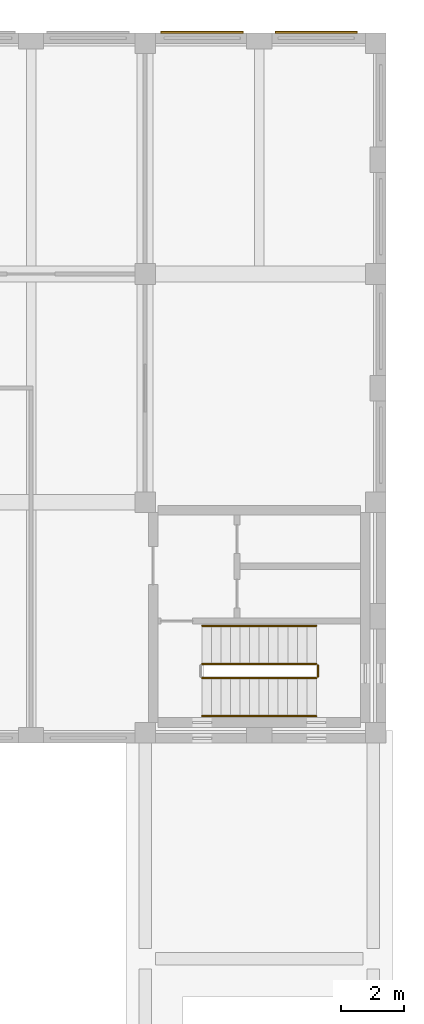
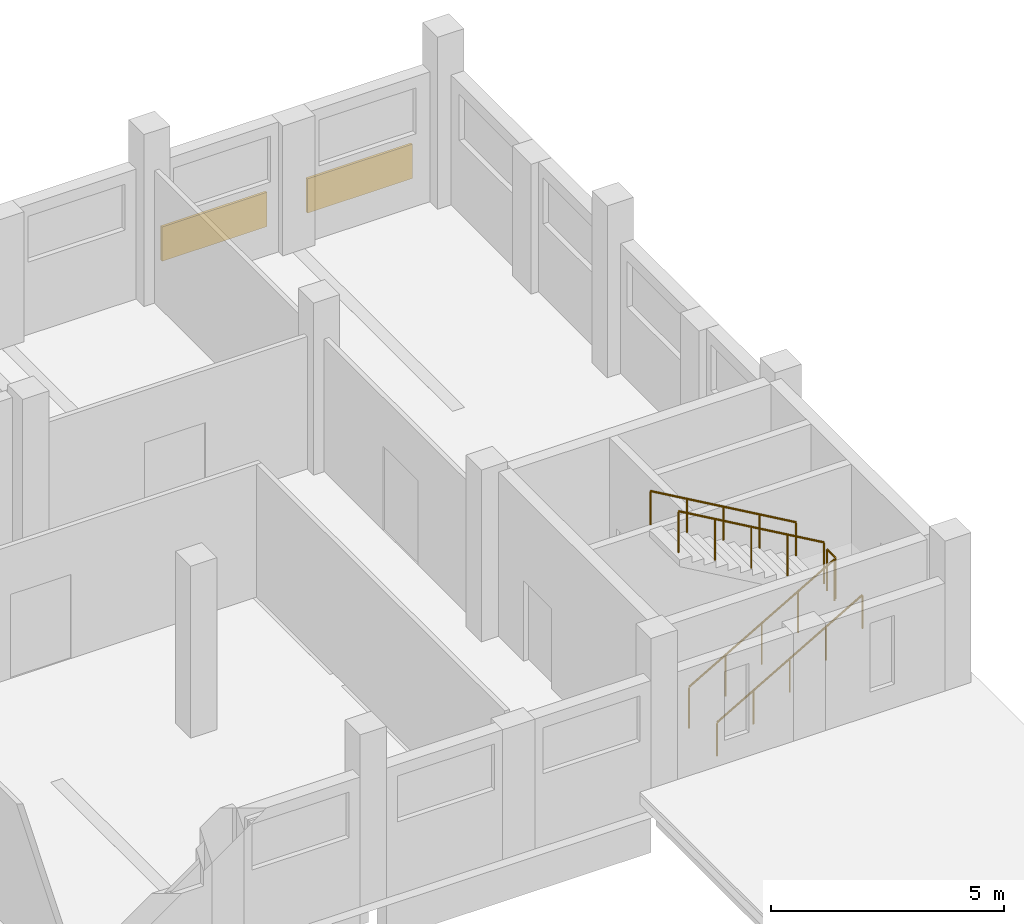
# One storey, part 56 of 59: 5 railings, 2 shading devices.
"""IFC4 building model written with IfcOpenShell, lengths in metres."""

from ifc_helpers import new_model, si_unit, direction, frame, origin, origin_2d, place, context, subcontext, project, spatial, rectangle, circle, extrude, material, layer, layer_set, type_object, element, save


model = new_model("IFC4")

# Units and contexts
model_context = context("Model", 3, precision=1e-05, world=origin(), true_north=direction((0.0, 1.0)))
body_context = subcontext(model_context, "Body", "Model", "MODEL_VIEW")
ifc_project = project(units=[si_unit("LENGTHUNIT", "METRE"), si_unit("AREAUNIT", "SQUARE_METRE"), si_unit("VOLUMEUNIT", "CUBIC_METRE"), si_unit("PLANEANGLEUNIT", "RADIAN"), si_unit("MASSUNIT", "GRAM", prefix="KILO")], contexts=[model_context])

# Site, building, storey
site_placement = place(None, origin())
site = spatial("IfcSite", under=ifc_project, at=site_placement, CompositionType="ELEMENT")
building_placement = place(site_placement, origin())
building = spatial("IfcBuilding", under=site, at=building_placement, Name="Ussher Court Research Institute", CompositionType="ELEMENT")
storey_placement = place(building_placement, frame((0.0, 0.0, 5.39990234375)))
storey = spatial("IfcBuildingStorey", under=building, at=storey_placement, Name="L01", CompositionType="ELEMENT", Elevation=5.39990234375)

# Shading devices
ifc_material_1 = material(Name="Aluminium louvre", Category="aluminium")
ifc_layer = layer(ifc_material_1, 0.06005859375)
ifc_layer_set = layer_set([ifc_layer], Name="Aluminium louvre")
shading_device_type = type_object("IfcShadingDeviceType", Name="Louvre panel 2600x900", PredefinedType="USERDEFINED", material=ifc_layer_set)
for number, where, z_axis, x_axis, name in (
    (1, (98.39990234375, 90.830078125, 0.500244140625), (0.0, 0.0, 1.0), (1.0, 0.0, 0.0), "Louvre panel LV1 L01"),
    (2, (102.0, 90.830078125, 0.500244140625), (0.0, 0.0, 1.0), (1.0, 0.0, 0.0), "Louvre panel LV1 L01"),
):
    element("IfcShadingDevice", number, at=place(storey_placement, frame(where, z_axis=z_axis, x_axis=x_axis)), inside=storey, type_object=shading_device_type, Name=name, ObjectType="LOUVRE", PredefinedType="USERDEFINED", context=body_context, shape_type="SweptSolid", body=[
        extrude(rectangle(XDim=2.60009765625, YDim=0.06005859375, at=origin_2d()), origin(), (0.0, 0.0, 1.0), 0.89990234375),
    ])

# Railings
ifc_material_2 = material(Name="Painted steel balustrade", Category="steel")
railing_type_1 = type_object("IfcRailingType", Name="Stair guard 1100 steel balustrade", PredefinedType="GUARDRAIL", material=ifc_material_2)
railing_1_placement = place(storey_placement, frame((98.39990234375, 70.449951171875, 0.173095703125)))
element("IfcRailing", 3, at=railing_1_placement, inside=storey, type_object=railing_type_1, Name="L01 C2 stair guard 1", PredefinedType="GUARDRAIL", context=body_context, shape_type="SweptSolid", body=[
    extrude(circle(Radius=0.02392578125, at=origin_2d()), frame((0.0, 0.0, 1.076171875), z_axis=(0.866193409371, 0.0, 0.499708892819), x_axis=(0.0, 1.0, 0.0)), (0.0, 0.0, 1.0), 4.15625),
    extrude(circle(Radius=0.02099609375, at=origin_2d()), origin(), (0.0, 0.0, 1.0), 1.052001953125),
    extrude(circle(Radius=0.02099609375, at=origin_2d()), frame((0.89990234375, 0.0, 0.519287109375)), (0.0, 0.0, 1.0), 1.052001953125),
    extrude(circle(Radius=0.02099609375, at=origin_2d()), frame((1.800048828125, 0.0, 1.03857421875)), (0.0, 0.0, 1.0), 1.052001953125),
    extrude(circle(Radius=0.02099609375, at=origin_2d()), frame((2.7001953125, 0.0, 1.5576171875)), (0.0, 0.0, 1.0), 1.052001953125),
    extrude(circle(Radius=0.02099609375, at=origin_2d()), frame((3.60009765625, 0.0, 2.076904296875)), (0.0, 0.0, 1.0), 1.052001953125),
])
railing_2_placement = place(storey_placement, frame((102.050048828125, 70.5, 2.25)))
element("IfcRailing", 4, at=railing_2_placement, inside=storey, type_object=railing_type_1, Name="L01 C2 stair guard 2", PredefinedType="GUARDRAIL", context=body_context, shape_type="SweptSolid", body=[
    extrude(circle(Radius=0.02392578125, at=origin_2d()), frame((0.0, 0.0, 1.076171875), z_axis=(0.0, 1.0, 0.0), x_axis=(-1.0, 0.0, 0.0)), (0.0, 0.0, 1.0), 0.35009765625),
    extrude(circle(Radius=0.02099609375, at=origin_2d()), origin(), (0.0, 0.0, 1.0), 1.052001953125),
    extrude(circle(Radius=0.02099609375, at=origin_2d()), frame((0.0, 0.35009765625, 0.0)), (0.0, 0.0, 1.0), 1.052001953125),
])
railing_3_placement = place(storey_placement, frame((102.0, 70.89990234375, 2.423095703125)))
element("IfcRailing", 5, at=railing_3_placement, inside=storey, type_object=railing_type_1, Name="L01 C2 stair guard 3", PredefinedType="GUARDRAIL", context=body_context, shape_type="SweptSolid", body=[
    extrude(circle(Radius=0.02392578125, at=origin_2d()), frame((0.0, 0.0, 1.076171875), z_axis=(-0.866193409371, 0.0, 0.499708892819), x_axis=(0.0, -1.0, 0.0)), (0.0, 0.0, 1.0), 4.15625),
    extrude(circle(Radius=0.02099609375, at=origin_2d()), origin(), (0.0, 0.0, 1.0), 1.052001953125),
    extrude(circle(Radius=0.02099609375, at=origin_2d()), frame((-0.89990234375, 0.0, 0.519287109375)), (0.0, 0.0, 1.0), 1.052001953125),
    extrude(circle(Radius=0.02099609375, at=origin_2d()), frame((-1.800048828125, 0.0, 1.03857421875)), (0.0, 0.0, 1.0), 1.052001953125),
    extrude(circle(Radius=0.02099609375, at=origin_2d()), frame((-2.7001953125, 0.0, 1.5576171875)), (0.0, 0.0, 1.0), 1.052001953125),
    extrude(circle(Radius=0.02099609375, at=origin_2d()), frame((-3.60009765625, 0.0, 2.076904296875)), (0.0, 0.0, 1.0), 1.052001953125),
])
ifc_material_3 = material(Name="Painted steel handrail", Category="steel")
railing_type_2 = type_object("IfcRailingType", Name="Stair handrail 900 steel", PredefinedType="HANDRAIL", material=ifc_material_3)
railing_4_placement = place(storey_placement, frame((98.39990234375, 69.25, 0.173095703125)))
element("IfcRailing", 6, at=railing_4_placement, inside=storey, type_object=railing_type_2, Name="L01 C2 stair handrail 1", PredefinedType="HANDRAIL", context=body_context, shape_type="SweptSolid", body=[
    extrude(circle(Radius=0.02392578125, at=origin_2d()), frame((0.0, 0.0, 0.8759765625), z_axis=(0.866193409371, 0.0, 0.499708892819), x_axis=(0.0, 1.0, 0.0)), (0.0, 0.0, 1.0), 4.15625),
    extrude(circle(Radius=0.02099609375, at=origin_2d()), origin(), (0.0, 0.0, 1.0), 0.851806640625),
    extrude(circle(Radius=0.02099609375, at=origin_2d()), frame((0.89990234375, 0.0, 0.519287109375)), (0.0, 0.0, 1.0), 0.851806640625),
    extrude(circle(Radius=0.02099609375, at=origin_2d()), frame((1.800048828125, 0.0, 1.03857421875)), (0.0, 0.0, 1.0), 0.851806640625),
    extrude(circle(Radius=0.02099609375, at=origin_2d()), frame((2.7001953125, 0.0, 1.5576171875)), (0.0, 0.0, 1.0), 0.851806640625),
    extrude(circle(Radius=0.02099609375, at=origin_2d()), frame((3.60009765625, 0.0, 2.076904296875)), (0.0, 0.0, 1.0), 0.851806640625),
])
railing_5_placement = place(storey_placement, frame((102.0, 72.10009765625, 2.423095703125)))
element("IfcRailing", 7, at=railing_5_placement, inside=storey, type_object=railing_type_2, Name="L01 C2 stair handrail 2", PredefinedType="HANDRAIL", context=body_context, shape_type="SweptSolid", body=[
    extrude(circle(Radius=0.02392578125, at=origin_2d()), frame((0.0, 0.0, 0.8759765625), z_axis=(-0.866193409371, 0.0, 0.499708892819), x_axis=(0.0, -1.0, 0.0)), (0.0, 0.0, 1.0), 4.15625),
    extrude(circle(Radius=0.02099609375, at=origin_2d()), origin(), (0.0, 0.0, 1.0), 0.851806640625),
    extrude(circle(Radius=0.02099609375, at=origin_2d()), frame((-0.89990234375, 0.0, 0.519287109375)), (0.0, 0.0, 1.0), 0.851806640625),
    extrude(circle(Radius=0.02099609375, at=origin_2d()), frame((-1.800048828125, 0.0, 1.03857421875)), (0.0, 0.0, 1.0), 0.851806640625),
    extrude(circle(Radius=0.02099609375, at=origin_2d()), frame((-2.7001953125, 0.0, 1.5576171875)), (0.0, 0.0, 1.0), 0.851806640625),
    extrude(circle(Radius=0.02099609375, at=origin_2d()), frame((-3.60009765625, 0.0, 2.076904296875)), (0.0, 0.0, 1.0), 0.851806640625),
])

save(model, "model.ifc")
